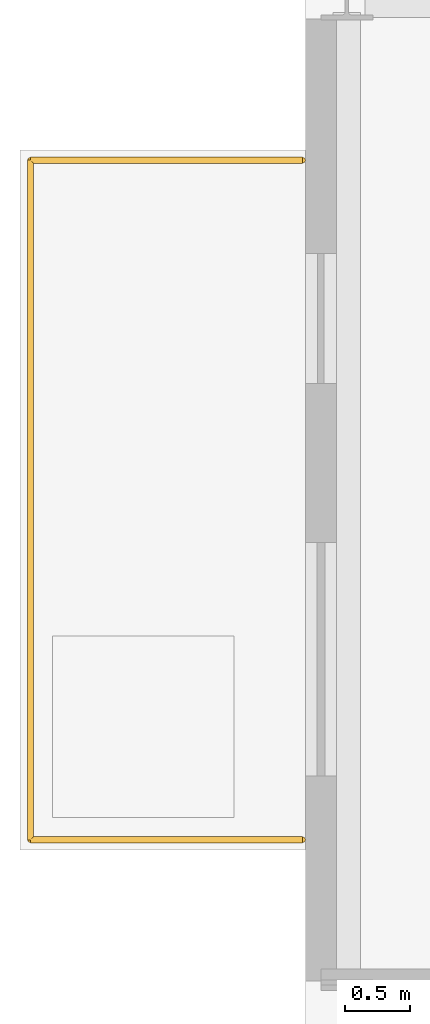
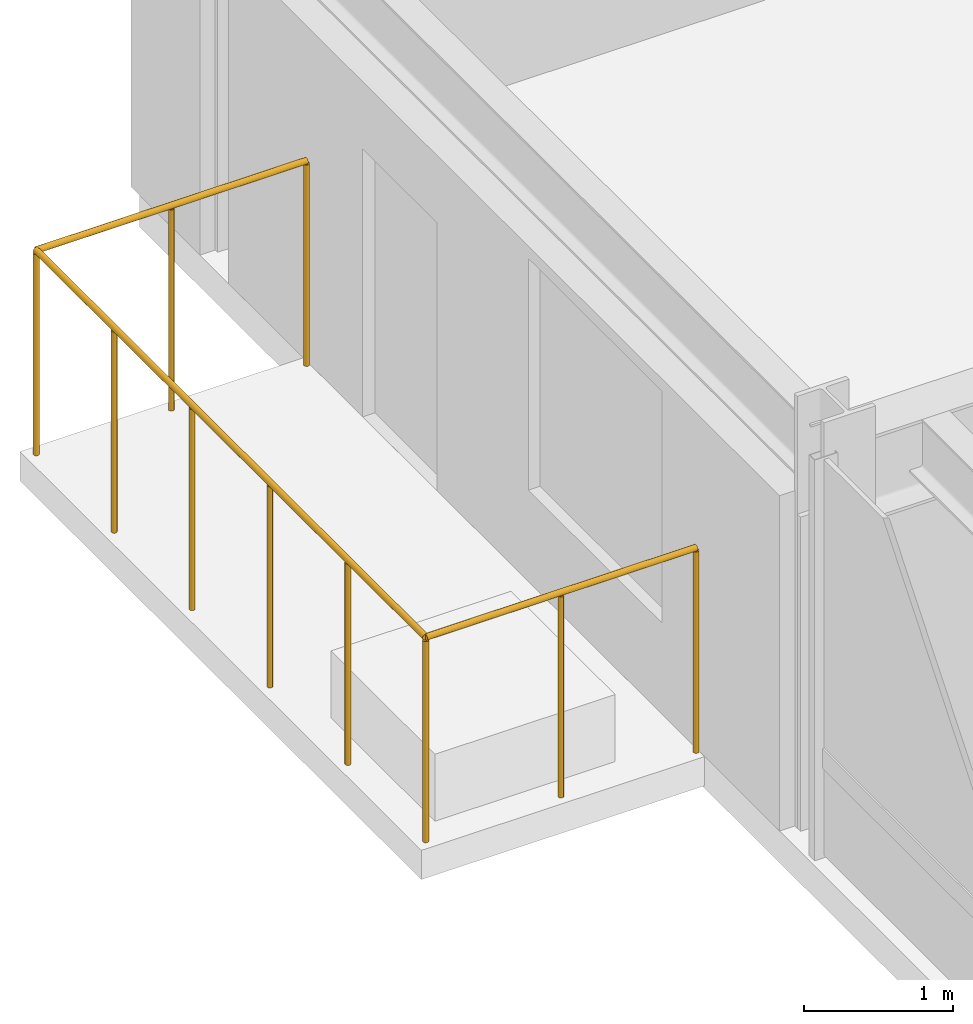
# One storey, part 31 of 31: 1 railing.
"""IFC4 building model written with IfcOpenShell, lengths in metres."""

from ifc_helpers import new_model, si_unit, direction, frame, origin, origin_2d, place, context, subcontext, project, spatial, circle, extrude, material, type_object, element, save


model = new_model("IFC4")

# Units and contexts
model_context = context("Model", 3, precision=1e-05, world=origin(), true_north=direction((0.0, 1.0)))
body_context = subcontext(model_context, "Body", "Model", "MODEL_VIEW")
ifc_project = project(units=[si_unit("LENGTHUNIT", "METRE"), si_unit("AREAUNIT", "SQUARE_METRE"), si_unit("VOLUMEUNIT", "CUBIC_METRE"), si_unit("PLANEANGLEUNIT", "RADIAN"), si_unit("MASSUNIT", "GRAM", prefix="KILO")], contexts=[model_context])

# Site, building, storey
site_placement = place(None, origin())
site = spatial("IfcSite", under=ifc_project, at=site_placement, CompositionType="ELEMENT")
building_placement = place(site_placement, origin())
building = spatial("IfcBuilding", under=site, at=building_placement, Name="Drelvath Grand Hotel", CompositionType="ELEMENT")
storey_placement = place(building_placement, frame((0.0, 0.0, 185.89990234375)))
storey = spatial("IfcBuildingStorey", under=building, at=storey_placement, Name="L48", CompositionType="ELEMENT", Elevation=185.89990234375)

# Railing
ifc_material = material(Name="Anodised Aluminium and Laminated Glass Balustrade", Category="aluminium")
railing_type = type_object("IfcRailingType", Name="Raised Planter Edge Balustrade 1700", PredefinedType="BALUSTRADE", material=ifc_material)
railing_placement = place(storey_placement, frame((-27.02001953125, 36.679931640625, 0.0)))
element("IfcRailing", 1, at=railing_placement, inside=storey, type_object=railing_type, Name="L48 Tree Balcony Perimeter Balustrade 1", PredefinedType="BALUSTRADE", context=body_context, shape_type="SweptSolid", body=[
    extrude(circle(Radius=0.02392578125, at=origin_2d()), frame((0.0, 0.0, 1.67578125), z_axis=(-1.0, 0.0, 0.0), x_axis=(0.0, -1.0, 0.0)), (0.0, 0.0, 1.0), 2.10009765625),
    extrude(circle(Radius=0.02392578125, at=origin_2d()), frame((-2.10009765625, 0.0, 1.67578125), z_axis=(0.0, 1.0, 0.0), x_axis=(-1.0, 0.0, 0.0)), (0.0, 0.0, 1.0), 5.239990234375),
    extrude(circle(Radius=0.02392578125, at=origin_2d()), frame((-2.10009765625, 5.239990234375, 1.67578125), z_axis=(1.0, 0.0, 0.0), x_axis=(0.0, 1.0, 0.0)), (0.0, 0.0, 1.0), 2.10009765625),
    extrude(circle(Radius=0.02099609375, at=origin_2d()), origin(), (0.0, 0.0, 1.0), 1.65185546875),
    extrude(circle(Radius=0.02099609375, at=origin_2d()), frame((-1.050048828125, 0.0, 0.0)), (0.0, 0.0, 1.0), 1.65185546875),
    extrude(circle(Radius=0.02099609375, at=origin_2d()), frame((-2.10009765625, 0.0, 0.0)), (0.0, 0.0, 1.0), 1.65185546875),
    extrude(circle(Radius=0.02099609375, at=origin_2d()), frame((-2.10009765625, 1.048095703125, 0.0)), (0.0, 0.0, 1.0), 1.65185546875),
    extrude(circle(Radius=0.02099609375, at=origin_2d()), frame((-2.10009765625, 2.095947265625, 0.0)), (0.0, 0.0, 1.0), 1.65185546875),
    extrude(circle(Radius=0.02099609375, at=origin_2d()), frame((-2.10009765625, 3.14404296875, 0.0)), (0.0, 0.0, 1.0), 1.65185546875),
    extrude(circle(Radius=0.02099609375, at=origin_2d()), frame((-2.10009765625, 4.19189453125, 0.0)), (0.0, 0.0, 1.0), 1.65185546875),
    extrude(circle(Radius=0.02099609375, at=origin_2d()), frame((-2.10009765625, 5.239990234375, 0.0)), (0.0, 0.0, 1.0), 1.65185546875),
    extrude(circle(Radius=0.02099609375, at=origin_2d()), frame((-1.050048828125, 5.239990234375, 0.0)), (0.0, 0.0, 1.0), 1.65185546875),
    extrude(circle(Radius=0.02099609375, at=origin_2d()), frame((0.0, 5.239990234375, 0.0)), (0.0, 0.0, 1.0), 1.65185546875),
])

save(model, "model.ifc")
